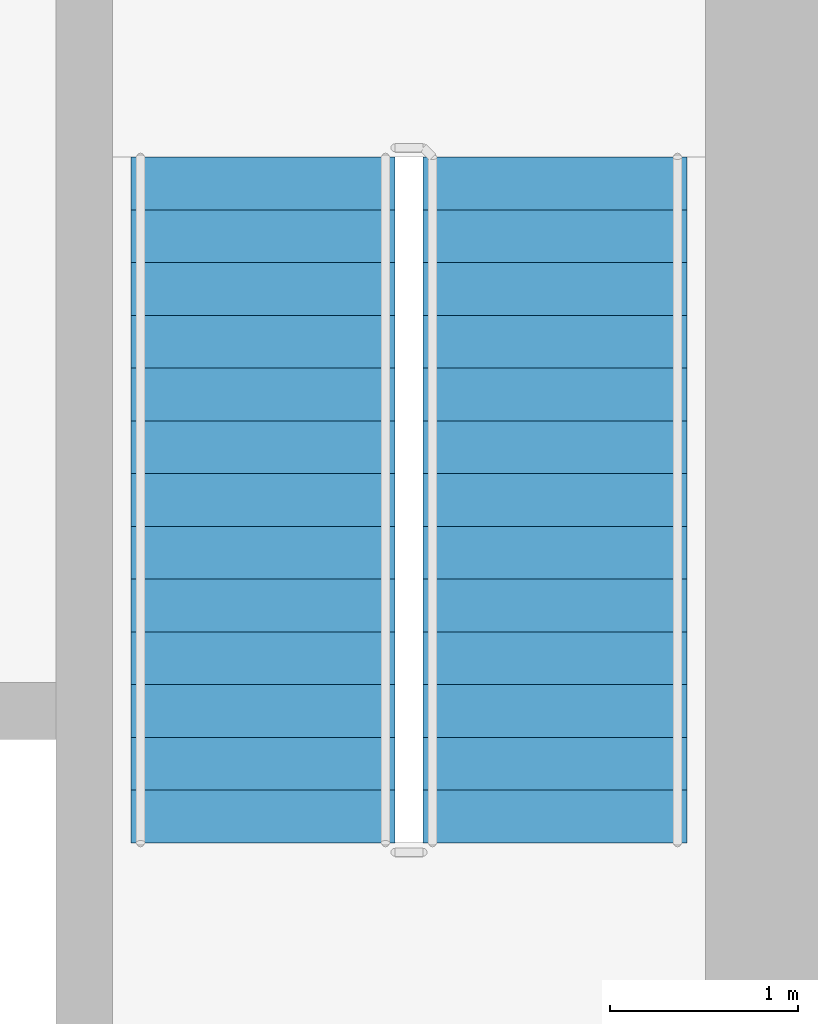
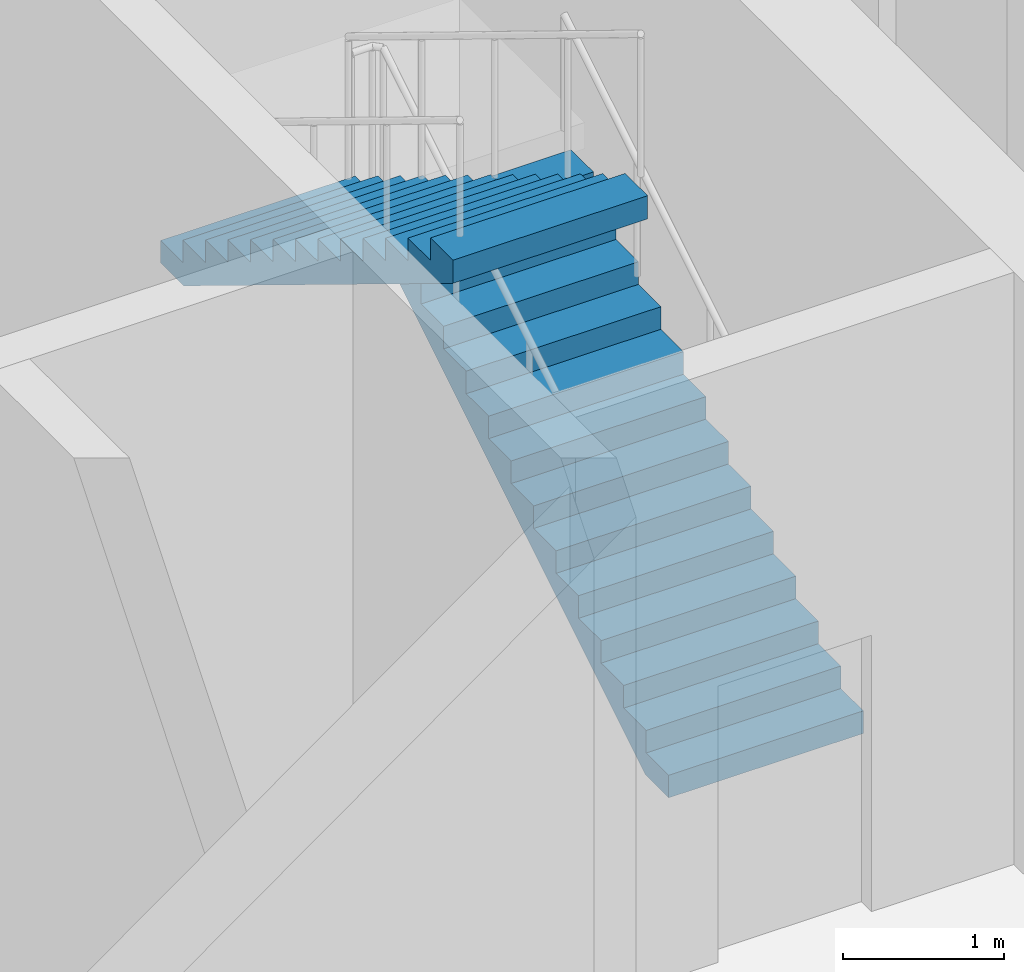
# One storey, part 11 of 14: 2 stair flights, 1 element without a shape of its own.
"""IFC4 building model written with IfcOpenShell, lengths in metres."""

import ifcopenshell
import ifcopenshell.guid

model = None  # the IFC model being written
_history = None  # IfcOwnerHistory: only IFC2X3 demands one
_inside = {}  # id of a spatial element -> (the spatial element, [elements in it])
_under = {}  # id of a project, library or spatial element -> (it, [spatial elements below it])
_declared = {}  # id of a project -> (the project, [libraries it declares])
_typed = {}  # id of a type object -> (the type object, [elements of that type])
_made_of = {}  # id of a material, layer set ... -> (it, [elements and type objects made of it])


def new_model(schema):
    """Start an empty IFC model of exactly this schema.

    Asked for "IFC4X3", IfcOpenShell would pick the latest addendum, in which some entities
    have other attributes; the version numbers below select the first issue.
    IFC2X3 requires an IfcOwnerHistory on every rooted entity: one is made here for all.
    """
    global model, _history
    if schema == "IFC4X3":
        model = ifcopenshell.file(schema_version=(4, 3, 0, 0))
    else:
        model = ifcopenshell.file(schema=schema)
    _inside.clear()
    _under.clear()
    _declared.clear()
    _typed.clear()
    _made_of.clear()
    _history = None
    if model.schema == "IFC2X3":
        org = make("IfcOrganization", Name="unknown")
        user = make(
            "IfcPersonAndOrganization",
            ThePerson=make("IfcPerson", FamilyName="unknown"),
            TheOrganization=org,
        )
        app = make(
            "IfcApplication",
            ApplicationDeveloper=org,
            Version="unknown",
            ApplicationFullName="unknown",
            ApplicationIdentifier="unknown",
        )
        _history = make(
            "IfcOwnerHistory",
            OwningUser=user,
            OwningApplication=app,
            ChangeAction="ADDED",
            CreationDate=0,
        )
    return model


def make(cls, **values):
    """One entity of the class cls with the attributes given. An attribute that is None is left unset."""
    return model.create_entity(
        cls, **{name: value for name, value in values.items() if value is not None}
    )


def rooted(cls, **values):
    """An entity with a GlobalId (a new one), such as an element, a storey or a relation."""
    return make(cls, GlobalId=ifcopenshell.guid.new(), OwnerHistory=_history, **values)


def si_unit(unit_type, name, prefix=None):
    """IfcSIUnit, for example si_unit("LENGTHUNIT", "METRE", prefix="MILLI")."""
    return make("IfcSIUnit", UnitType=unit_type, Prefix=prefix, Name=name)


def assignment(units):
    """IfcUnitAssignment: the units of a project."""
    return None if units is None else make("IfcUnitAssignment", Units=units)


def point(xyz):
    """IfcCartesianPoint."""
    return None if xyz is None else make("IfcCartesianPoint", Coordinates=xyz)


def direction(xyz):
    """IfcDirection."""
    return None if xyz is None else make("IfcDirection", DirectionRatios=xyz)


def frame(location, z_axis=None, x_axis=None):
    """IfcAxis2Placement3D, a coordinate frame: its origin and axes. An axis left out is left unset."""
    return make(
        "IfcAxis2Placement3D",
        Location=point(location),
        Axis=direction(z_axis),
        RefDirection=direction(x_axis),
    )


def origin():
    """The frame at (0, 0, 0) with its axes left unset."""
    return frame((0.0, 0.0, 0.0))


def place(relative_to, where):
    """IfcLocalPlacement: puts the frame where relative to a parent placement (None: the world)."""
    return make(
        "IfcLocalPlacement", PlacementRelTo=relative_to, RelativePlacement=where
    )


def context(
    kind, dimensions, precision=None, world=None, true_north=None, identifier=None
):
    """IfcGeometricRepresentationContext, for example the 3D "Model" context."""
    return make(
        "IfcGeometricRepresentationContext",
        ContextIdentifier=identifier,
        ContextType=kind,
        CoordinateSpaceDimension=dimensions,
        Precision=precision,
        WorldCoordinateSystem=world,
        TrueNorth=true_north,
    )


def subcontext(parent, identifier, kind, view, scale=None):
    """IfcGeometricRepresentationSubContext, for example "Body" below "Model"."""
    return make(
        "IfcGeometricRepresentationSubContext",
        ContextIdentifier=identifier,
        ContextType=kind,
        ParentContext=parent,
        TargetScale=scale,
        TargetView=view,
    )


def project(units=None, contexts=None):
    """IfcProject with its units and contexts."""
    return rooted(
        "IfcProject",
        Name="project",
        RepresentationContexts=contexts,
        UnitsInContext=assignment(units),
    )


def spatial(cls, under=None, at=None, **own):
    """A site, building, storey or space (cls), placed at a placement, below another one or the project."""
    s = rooted(cls, ObjectPlacement=at, **own)
    if under is not None:
        _under.setdefault(under.id(), (under, []))[1].append(s)
    return s


def polyline(points):
    """IfcPolyline through the points."""
    return make("IfcPolyline", Points=[point(p) for p in points])


def outline(outer, holes=None, kind="AREA"):
    """IfcArbitraryClosedProfileDef: a profile drawn as a closed curve; with holes, ...WithVoids."""
    if holes is None:
        return make("IfcArbitraryClosedProfileDef", ProfileType=kind, OuterCurve=outer)
    return make(
        "IfcArbitraryProfileDefWithVoids",
        ProfileType=kind,
        OuterCurve=outer,
        InnerCurves=holes,
    )


def extrude(swept, where, along, depth):
    """IfcExtrudedAreaSolid: the profile swept, set in the frame where, extruded along a direction by depth."""
    return make(
        "IfcExtrudedAreaSolid",
        SweptArea=swept,
        Position=where,
        ExtrudedDirection=direction(along),
        Depth=depth,
    )


def shape(context_of_items, identifier, shape_type, items):
    """IfcShapeRepresentation: the items that make up one representation, for example the "Body"."""
    return make(
        "IfcShapeRepresentation",
        ContextOfItems=context_of_items,
        RepresentationIdentifier=identifier,
        RepresentationType=shape_type,
        Items=items,
    )


def material(Name=None, Category=None):
    """IfcMaterial."""
    return make("IfcMaterial", Name=Name, Category=Category)


def made_of(thing, what):
    """Note that an element or type object is made of a material, layer set ...; save() writes the relation."""
    if what is not None:
        _made_of.setdefault(what.id(), (what, []))[1].append(thing)
    return thing


def type_object(cls, material=None, **own):
    """A type object (cls), such as IfcWallType, which elements share."""
    return made_of(rooted(cls, **own), material)


def element(
    cls,
    number,
    at=None,
    inside=None,
    cuts=None,
    type_object=None,
    material=None,
    context=None,
    identifier="Body",
    shape_type=None,
    held_by="IfcProductDefinitionShape",
    body=None,
    shapes=None,
    **own,
):
    """One element of the class cls, such as IfcWall. Its Tag is "e" and its number.

    at: its placement. inside: the storey or other place that contains it. cuts: it is an
    opening in that element (IfcRelVoidsElement). A single representation is given by context,
    identifier, shape_type and body (its items); several are given by shapes. held_by: the class
    of the entity that holds the representations. save() writes the other relations.
    """
    e = rooted(cls, Tag="e%d" % number, ObjectPlacement=at, **own)
    if body is not None:
        shapes = [shape(context, identifier, shape_type, body)]
    if shapes is not None:
        e.Representation = make(held_by, Representations=shapes)
    if inside is not None:
        _inside.setdefault(inside.id(), (inside, []))[1].append(e)
    if cuts is not None:
        rooted(
            "IfcRelVoidsElement", RelatingBuildingElement=cuts, RelatedOpeningElement=e
        )
    if type_object is not None:
        _typed.setdefault(type_object.id(), (type_object, []))[1].append(e)
    return made_of(e, material)


def aggregate(whole, parts):
    """IfcRelAggregates: a whole, such as a stair, and the parts it consists of."""
    return rooted("IfcRelAggregates", RelatingObject=whole, RelatedObjects=parts)


def save(model, path):
    """Write the relations noted so far, then the file.

    IfcRelAggregates (storeys below a building ...), IfcRelContainedInSpatialStructure (elements
    in a storey), IfcRelDefinesByType, IfcRelAssociatesMaterial and IfcRelDeclares: one each for
    every whole, place, type object, material and project.
    """
    for whole, parts in _under.values():
        aggregate(whole, parts)
    for where, things in _inside.values():
        rooted(
            "IfcRelContainedInSpatialStructure",
            RelatedElements=things,
            RelatingStructure=where,
        )
    for kind, things in _typed.values():
        rooted("IfcRelDefinesByType", RelatedObjects=things, RelatingType=kind)
    for what, things in _made_of.values():
        rooted("IfcRelAssociatesMaterial", RelatedObjects=things, RelatingMaterial=what)
    for by, libraries in _declared.values():
        rooted("IfcRelDeclares", RelatingContext=by, RelatedDefinitions=libraries)
    model.write(path)


model = new_model("IFC4")

# Units and contexts
model_context = context("Model", 3, precision=1e-05, world=origin(), true_north=direction((0.0, 1.0)))
body_context = subcontext(model_context, "Body", "Model", "MODEL_VIEW")
ifc_project = project(units=[si_unit("LENGTHUNIT", "METRE"), si_unit("AREAUNIT", "SQUARE_METRE"), si_unit("VOLUMEUNIT", "CUBIC_METRE"), si_unit("PLANEANGLEUNIT", "RADIAN"), si_unit("MASSUNIT", "GRAM", prefix="KILO")], contexts=[model_context])

# Site, building, storey
site_placement = place(None, origin())
site = spatial("IfcSite", under=ifc_project, at=site_placement, CompositionType="ELEMENT")
building_placement = place(site_placement, origin())
building = spatial("IfcBuilding", under=site, at=building_placement, Name="Mopane Tessera Tower", CompositionType="ELEMENT")
storey_placement = place(building_placement, frame((0.0, 0.0, 35.800048828125)))
storey = spatial("IfcBuildingStorey", under=building, at=storey_placement, Name="L06", CompositionType="ELEMENT", Elevation=35.800048828125)

# Stair, stair flights
ifc_material_1 = material(Name="Concrete C50/60", Category="concrete")
stair_type = type_object("IfcStairType", Name="Escape stair 1400 mm, riser 171 mm", PredefinedType="HALF_TURN_STAIR", material=ifc_material_1)
stair_placement = place(storey_placement, origin())
stair = element("IfcStair", 1, at=stair_placement, inside=storey, type_object=stair_type, Name="L06 Escape stair north-east", PredefinedType="HALF_TURN_STAIR")
ifc_material_2 = material(Name="Concrete C50/60", Category="concrete")
stair_flight_type = type_object("IfcStairFlightType", Name="Escape stair flight 1400 mm", PredefinedType="STRAIGHT", material=ifc_material_2)
stair_flight_1_placement = place(storey_placement, frame((13.0, 7.699951171875, 0.0), z_axis=(0.0, 0.0, 1.0), x_axis=(0.0, 1.0, 0.0)))
stair_flight_1 = element("IfcStairFlight", 2, at=stair_flight_1_placement, type_object=stair_flight_type, Name="ST4 flight 1", NumberOfRisers=14, NumberOfTreads=13, PredefinedType="STRAIGHT", RiserHeight=0.171428571, TreadLength=0.28, context=body_context, shape_type="SweptSolid", body=[
    extrude(outline(polyline([(0.0, 0.0), (0.0, 0.17138671875), (0.280029296875, 0.17138671875), (0.280029296875, 0.3427734375), (0.56005859375, 0.3427734375), (0.56005859375, 0.514404296875), (0.840087890625, 0.514404296875), (0.840087890625, 0.685791015625), (1.1201171875, 0.685791015625), (1.1201171875, 0.857177734375), (1.39990234375, 0.857177734375), (1.39990234375, 1.028564453125), (1.679931640625, 1.028564453125), (1.679931640625, 1.199951171875), (1.9599609375, 1.199951171875), (1.9599609375, 1.371337890625), (2.239990234375, 1.371337890625), (2.239990234375, 1.54296875), (2.52001953125, 1.54296875), (2.52001953125, 1.71435546875), (2.800048828125, 1.71435546875), (2.800048828125, 1.8857421875), (3.080078125, 1.8857421875), (3.080078125, 2.05712890625), (3.360107421875, 2.05712890625), (3.360107421875, 2.228515625), (3.639892578125, 2.228515625), (3.639892578125, 2.39990234375), (3.639892578125, 2.052734375), (0.287109375, 0.0), (0.0, 0.0)])), frame((0.0, 0.699951171875, 0.0), z_axis=(0.0, -1.0, 0.0), x_axis=(1.0, 0.0, 0.0)), (0.0, 0.0, 1.0), 1.39990234375),
])
stair_flight_2_placement = place(storey_placement, frame((11.449951171875, 11.340087890625, 2.39990234375), z_axis=(0.0, 0.0, 1.0), x_axis=(0.0, -1.0, 0.0)))
stair_flight_2 = element("IfcStairFlight", 3, at=stair_flight_2_placement, type_object=stair_flight_type, Name="ST4 flight 2", NumberOfRisers=14, NumberOfTreads=13, PredefinedType="STRAIGHT", RiserHeight=0.171428571, TreadLength=0.28, context=body_context, shape_type="SweptSolid", body=[
    extrude(outline(polyline([(0.0, 0.0), (0.0, 0.17138671875), (0.280029296875, 0.17138671875), (0.280029296875, 0.3427734375), (0.56005859375, 0.3427734375), (0.56005859375, 0.514404296875), (0.840087890625, 0.514404296875), (0.840087890625, 0.685791015625), (1.1201171875, 0.685791015625), (1.1201171875, 0.857177734375), (1.39990234375, 0.857177734375), (1.39990234375, 1.028564453125), (1.679931640625, 1.028564453125), (1.679931640625, 1.199951171875), (1.9599609375, 1.199951171875), (1.9599609375, 1.371337890625), (2.239990234375, 1.371337890625), (2.239990234375, 1.54296875), (2.52001953125, 1.54296875), (2.52001953125, 1.71435546875), (2.800048828125, 1.71435546875), (2.800048828125, 1.8857421875), (3.080078125, 1.8857421875), (3.080078125, 2.05712890625), (3.360107421875, 2.05712890625), (3.360107421875, 2.228515625), (3.639892578125, 2.228515625), (3.639892578125, 2.39990234375), (3.639892578125, 2.052734375), (0.287109375, 0.0), (0.0, 0.0)])), frame((0.0, 0.699951171875, 0.0), z_axis=(0.0, -1.0, 0.0), x_axis=(1.0, 0.0, 0.0)), (0.0, 0.0, 1.0), 1.39990234375),
])
aggregate(stair, [stair_flight_1, stair_flight_2])

save(model, "model.ifc")
